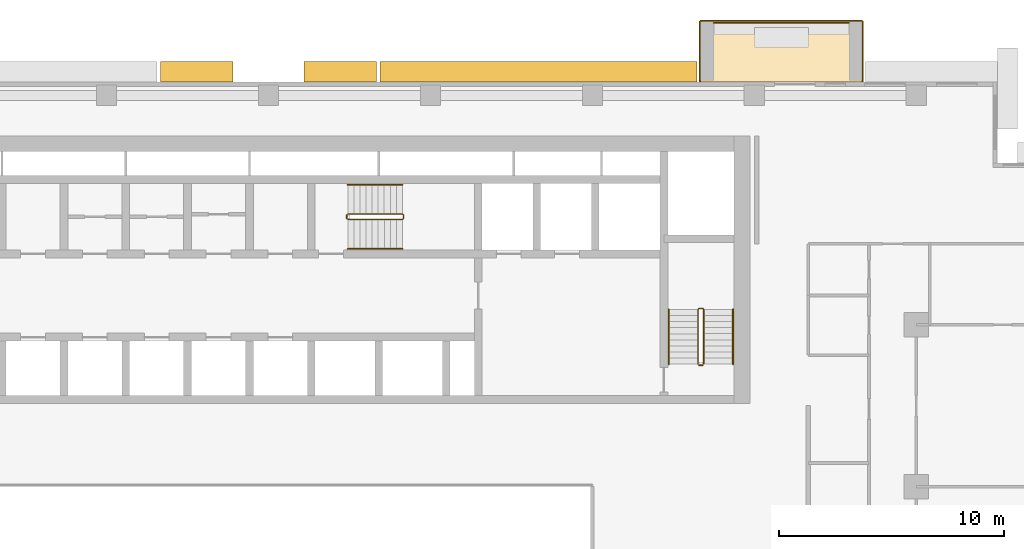
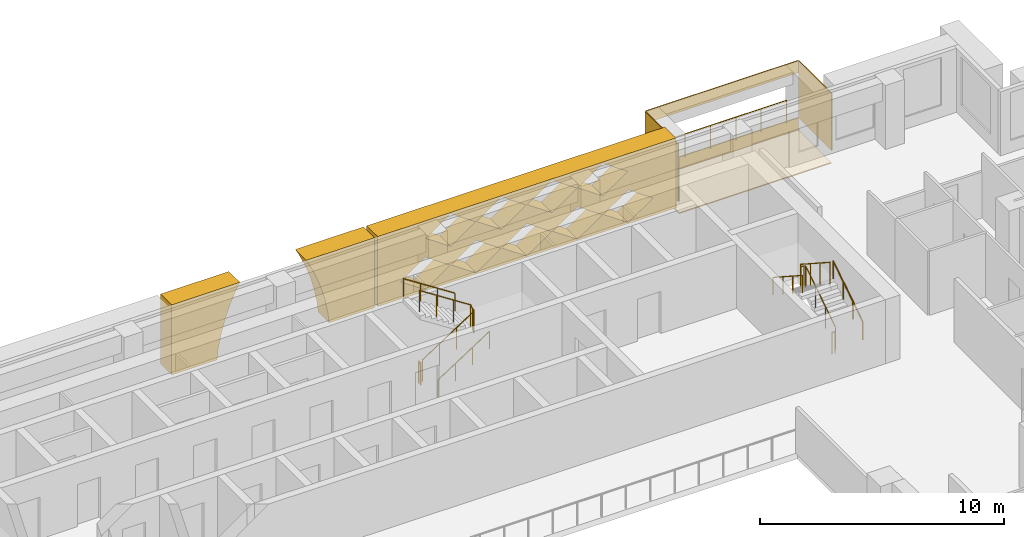
# One storey, part 16 of 17: 9 railings, 8 coverings.
"""IFC4 building model written with IfcOpenShell, lengths in metres."""

from ifc_helpers import new_model, si_unit, direction, frame, origin, origin_2d, place, context, subcontext, project, spatial, polyline, circle, outline, extrude, material, layer, layer_set, type_object, element, save


model = new_model("IFC4")

# Units and contexts
model_context = context("Model", 3, precision=1e-05, world=origin(), true_north=direction((0.0, 1.0)))
body_context = subcontext(model_context, "Body", "Model", "MODEL_VIEW")
ifc_project = project(units=[si_unit("LENGTHUNIT", "METRE"), si_unit("AREAUNIT", "SQUARE_METRE"), si_unit("VOLUMEUNIT", "CUBIC_METRE"), si_unit("PLANEANGLEUNIT", "RADIAN"), si_unit("MASSUNIT", "GRAM", prefix="KILO")], contexts=[model_context])

# Site, building, storey
site_placement = place(None, origin())
site = spatial("IfcSite", under=ifc_project, at=site_placement, CompositionType="ELEMENT")
building_placement = place(site_placement, origin())
building = spatial("IfcBuilding", under=site, at=building_placement, Name="Saffron Iwan Residences", CompositionType="ELEMENT")
storey_placement = place(building_placement, frame((0.0, 0.0, 113.0)))
storey = spatial("IfcBuildingStorey", under=building, at=storey_placement, Name="L29", CompositionType="ELEMENT", Elevation=113.0)

# Railing
ifc_material_1 = material(Name="Stainless steel 316", Category="steel")
railing_type_1 = type_object("IfcRailingType", Name="BALCONY GUARD 1150", PredefinedType="GUARDRAIL", material=ifc_material_1)
railing_1_placement = place(storey_placement, frame((76.199951171875, 83.02490234375, 0.0)))
element("IfcRailing", 1, at=railing_1_placement, inside=storey, type_object=railing_type_1, Name="Balcony guard L29 F5-0", PredefinedType="GUARDRAIL", context=body_context, shape_type="SweptSolid", body=[
    extrude(circle(Radius=0.02392578125, at=origin_2d()), frame((0.0, 0.0, 1.1259765625), z_axis=(-1.0, 0.0, 0.0), x_axis=(0.0, -1.0, 0.0)), (0.0, 0.0, 1.0), 6.0),
    extrude(circle(Radius=0.02099609375, at=origin_2d()), origin(), (0.0, 0.0, 1.0), 1.101806640625),
    extrude(circle(Radius=0.02099609375, at=origin_2d()), frame((-1.199951171875, 0.0, 0.0)), (0.0, 0.0, 1.0), 1.101806640625),
    extrude(circle(Radius=0.02099609375, at=origin_2d()), frame((-2.39990234375, 0.0, 0.0)), (0.0, 0.0, 1.0), 1.101806640625),
    extrude(circle(Radius=0.02099609375, at=origin_2d()), frame((-3.60009765625, 0.0, 0.0)), (0.0, 0.0, 1.0), 1.101806640625),
    extrude(circle(Radius=0.02099609375, at=origin_2d()), frame((-4.800048828125, 0.0, 0.0)), (0.0, 0.0, 1.0), 1.101806640625),
    extrude(circle(Radius=0.02099609375, at=origin_2d()), frame((-6.0, 0.0, 0.0)), (0.0, 0.0, 1.0), 1.101806640625),
])

# Coverings
ifc_material_2 = material(Name="Precast concrete C40/50 white painted", Category="concrete")
ifc_layer = layer(ifc_material_2, 0.050048828125)
ifc_layer_set = layer_set([ifc_layer], Name="Precast concrete C40/50 white painted")
covering_type_1 = type_object("IfcCoveringType", Name="FRAME SKIN PRECAST WHITE 50", PredefinedType="CLADDING", material=ifc_layer_set)
for number, where, name in (
    (2, (0.0, 0.0, -0.60009765625), "Frame skin slab edge L29 F5-0"),
    (3, (0.0, 0.0, 2.25), "Frame skin fascia L29 F5-0"),
):
    element("IfcCovering", number, at=place(storey_placement, frame(where)), inside=storey, type_object=covering_type_1, Name=name, PredefinedType="CLADDING", context=body_context, shape_type="SweptSolid", body=[
        extrude(outline(polyline([(76.800048828125, 83.14990234375), (69.60009765625, 83.14990234375), (69.60009765625, 83.10009765625), (76.800048828125, 83.10009765625), (76.800048828125, 83.14990234375)])), origin(), (0.0, 0.0, 1.0), 0.60009765625),
    ])
covering_1_placement = place(storey_placement, frame((0.0, 0.0, -0.64990234375)))
element("IfcCovering", 4, at=covering_1_placement, inside=storey, type_object=covering_type_1, Name="Frame skin soffit L29 F5-0", PredefinedType="CLADDING", context=body_context, shape_type="SweptSolid", body=[
    extrude(outline(polyline([(76.800048828125, 83.10009765625), (69.60009765625, 83.10009765625), (69.60009765625, 80.39990234375), (76.800048828125, 80.39990234375), (76.800048828125, 83.10009765625)])), origin(), (0.0, 0.0, 1.0), 0.0498046875),
])
covering_2_placement = place(storey_placement, origin())
element("IfcCovering", 5, at=covering_2_placement, inside=storey, type_object=covering_type_1, Name="Frame skin fin L29 F5-0a", PredefinedType="CLADDING", context=body_context, shape_type="SweptSolid", body=[
    extrude(outline(polyline([(76.85009765625, 83.10009765625), (76.800048828125, 83.10009765625), (76.800048828125, 80.39990234375), (76.85009765625, 80.39990234375), (76.85009765625, 83.10009765625)])), origin(), (0.0, 0.0, 1.0), 2.85009765625),
])
covering_3_placement = place(storey_placement, origin())
element("IfcCovering", 6, at=covering_3_placement, inside=storey, type_object=covering_type_1, Name="Frame skin fin L29 F5-0b", PredefinedType="CLADDING", context=body_context, shape_type="SweptSolid", body=[
    extrude(outline(polyline([(69.60009765625, 83.10009765625), (69.550048828125, 83.10009765625), (69.550048828125, 80.39990234375), (69.60009765625, 80.39990234375), (69.60009765625, 83.10009765625)])), origin(), (0.0, 0.0, 1.0), 2.85009765625),
])
covering_type_2 = type_object("IfcCoveringType", Name="IWAN PANEL PRECAST WHITE", PredefinedType="CLADDING", material=ifc_material_2)
covering_4_placement = place(storey_placement, frame((55.199951171875, 80.39990234375, -0.300048828125), z_axis=(0.0, 1.0, 0.0), x_axis=(-1.0, 0.0, 0.0)))
element("IfcCovering", 7, at=covering_4_placement, inside=storey, type_object=covering_type_2, Name="Iwan panel L29 F5.0", PredefinedType="CLADDING", context=body_context, shape_type="SweptSolid", body=[
    extrude(outline(polyline([(0.0, 0.0), (0.0, 3.5), (3.230712890625, 3.5), (3.10498046875, 3.276611328125), (2.802001953125, 2.621337890625), (2.55126953125, 1.944580078125), (2.354736328125, 1.25), (2.21337890625, 0.5419921875), (2.149169921875, 0.0), (0.0, 0.0)])), origin(), (0.0, 0.0, 1.0), 0.900146484375),
])
covering_5_placement = place(storey_placement, frame((55.199951171875, 80.39990234375, -0.300048828125), z_axis=(0.0, 1.0, 0.0), x_axis=(-1.0, 0.0, 0.0)))
element("IfcCovering", 8, at=covering_5_placement, inside=storey, type_object=covering_type_2, Name="Iwan panel L29 F5.1", PredefinedType="CLADDING", context=body_context, shape_type="SweptSolid", body=[
    extrude(outline(polyline([(9.60009765625, 3.5), (9.60009765625, 0.0), (7.45068359375, 0.0), (7.386474609375, 0.5419921875), (7.2451171875, 1.25), (7.048583984375, 1.944580078125), (6.798095703125, 2.621337890625), (6.4951171875, 3.276611328125), (6.369384765625, 3.5), (9.60009765625, 3.5)])), origin(), (0.0, 0.0, 1.0), 0.900146484375),
])
ifc_material_3 = material(Name="Precast concrete C40/50", Category="concrete")
covering_type_3 = type_object("IfcCoveringType", Name="OUTER SKIN LATTICE SCREEN", PredefinedType="CLADDING", material=ifc_material_3)
covering_6_placement = place(storey_placement, frame((69.449951171875, 80.39990234375, -0.300048828125), z_axis=(0.0, 1.0, 0.0), x_axis=(-1.0, 0.0, 0.0)))
element("IfcCovering", 9, at=covering_6_placement, inside=storey, type_object=covering_type_3, Name="OUTER SKIN lattice screen L29 F5.1", PredefinedType="CLADDING", context=body_context, shape_type="SweptSolid", body=[
    extrude(outline(polyline([(0.0, 0.0), (14.10009765625, 0.0), (14.10009765625, 3.5), (0.0, 3.5), (0.0, 0.0)]), holes=[polyline([(1.070068359375, 0.875), (2.25, 0.06005859375), (3.429931640625, 0.875), (2.25, 1.68994140625), (1.070068359375, 0.875)]), polyline([(3.469970703125, 0.875), (4.64990234375, 0.06005859375), (5.830078125, 0.875), (4.64990234375, 1.68994140625), (3.469970703125, 0.875)]), polyline([(5.8701171875, 0.875), (7.050048828125, 0.06005859375), (8.22998046875, 0.875), (7.050048828125, 1.68994140625), (5.8701171875, 0.875)]), polyline([(8.27001953125, 0.875), (9.449951171875, 0.06005859375), (10.6298828125, 0.875), (9.449951171875, 1.68994140625), (8.27001953125, 0.875)]), polyline([(10.669921875, 0.875), (11.85009765625, 0.06005859375), (13.030029296875, 0.875), (11.85009765625, 1.68994140625), (10.669921875, 0.875)]), polyline([(2.27001953125, 2.625), (3.449951171875, 1.81005859375), (4.6298828125, 2.625), (3.449951171875, 3.43994140625), (2.27001953125, 2.625)]), polyline([(4.669921875, 2.625), (5.85009765625, 1.81005859375), (7.030029296875, 2.625), (5.85009765625, 3.43994140625), (4.669921875, 2.625)]), polyline([(7.070068359375, 2.625), (8.25, 1.81005859375), (9.429931640625, 2.625), (8.25, 3.43994140625), (7.070068359375, 2.625)]), polyline([(9.469970703125, 2.625), (10.64990234375, 1.81005859375), (11.830078125, 2.625), (10.64990234375, 3.43994140625), (9.469970703125, 2.625)])]), origin(), (0.0, 0.0, 1.0), 0.900146484375),
])

# Railings
ifc_material_4 = material(Name="Steel S355", Category="steel")
railing_type_2 = type_object("IfcRailingType", Name="Stair guard 1100", PredefinedType="GUARDRAIL", material=ifc_material_4)
railing_2_placement = place(storey_placement, frame((53.925048828125, 74.27490234375, 0.175048828125)))
element("IfcRailing", 10, at=railing_2_placement, inside=storey, type_object=railing_type_2, Name="L29 ST-C stair guard 1", PredefinedType="GUARDRAIL", context=body_context, shape_type="SweptSolid", body=[
    extrude(circle(Radius=0.02392578125, at=origin_2d()), frame((0.0, 0.0, 1.076171875), z_axis=(0.839153699163, 0.0, 0.543894354798), x_axis=(0.0, 1.0, 0.0)), (0.0, 0.0, 1.0), 2.895751953125),
    extrude(circle(Radius=0.02392578125, at=origin_2d()), frame((2.429931640625, 0.0, 2.65087890625), z_axis=(0.707106781187, 0.707106781187, 0.0), x_axis=(-0.707106781187, 0.707106781187, 0.0)), (0.0, 0.0, 1.0), 0.07080078125),
    extrude(circle(Radius=0.02392578125, at=origin_2d()), frame((2.47998046875, 0.050048828125, 2.65087890625), z_axis=(0.0, 1.0, 0.0), x_axis=(-1.0, 0.0, 0.0)), (0.0, 0.0, 1.0), 0.150146484375),
    extrude(circle(Radius=0.02392578125, at=origin_2d()), frame((2.47998046875, 0.2001953125, 2.65087890625), z_axis=(-0.265155923931, 0.263862480399, 0.927399011991), x_axis=(-0.705375805398, -0.708833529934, 0.0)), (0.0, 0.0, 1.0), 0.188720703125),
    extrude(circle(Radius=0.02392578125, at=origin_2d()), frame((2.429931640625, 0.25, 2.826171875), z_axis=(-0.839153699163, 0.0, 0.543894354798), x_axis=(0.0, -1.0, 0.0)), (0.0, 0.0, 1.0), 2.895751953125),
    extrude(circle(Radius=0.02099609375, at=origin_2d()), origin(), (0.0, 0.0, 1.0), 1.052001953125),
    extrude(circle(Radius=0.02099609375, at=origin_2d()), frame((0.81005859375, 0.0, 0.52490234375)), (0.0, 0.0, 1.0), 1.052001953125),
    extrude(circle(Radius=0.02099609375, at=origin_2d()), frame((1.619873046875, 0.0, 1.050048828125)), (0.0, 0.0, 1.0), 1.052001953125),
    extrude(circle(Radius=0.02099609375, at=origin_2d()), frame((2.429931640625, 0.0, 1.574951171875)), (0.0, 0.0, 1.0), 1.052001953125),
    extrude(circle(Radius=0.02099609375, at=origin_2d()), frame((2.47998046875, 0.050048828125, 1.574951171875)), (0.0, 0.0, 1.0), 1.052001953125),
    extrude(circle(Radius=0.02099609375, at=origin_2d()), frame((2.47998046875, 0.2001953125, 1.574951171875)), (0.0, 0.0, 1.0), 1.052001953125),
    extrude(circle(Radius=0.02099609375, at=origin_2d()), frame((2.429931640625, 0.25, 1.75)), (0.0, 0.0, 1.0), 1.052001953125),
    extrude(circle(Radius=0.02099609375, at=origin_2d()), frame((1.619873046875, 0.25, 2.27490234375)), (0.0, 0.0, 1.0), 1.052001953125),
    extrude(circle(Radius=0.02099609375, at=origin_2d()), frame((0.81005859375, 0.25, 2.800048828125)), (0.0, 0.0, 1.0), 1.052001953125),
    extrude(circle(Radius=0.02099609375, at=origin_2d()), frame((0.0, 0.25, 3.324951171875)), (0.0, 0.0, 1.0), 1.052001953125),
])
railing_3_placement = place(storey_placement, frame((53.875, 74.324951171875, 0.0)))
element("IfcRailing", 11, at=railing_3_placement, inside=storey, type_object=railing_type_2, Name="L29 ST-C stair guard 2", PredefinedType="GUARDRAIL", context=body_context, shape_type="SweptSolid", body=[
    extrude(circle(Radius=0.02392578125, at=origin_2d()), frame((0.0, 0.0, 1.076171875), z_axis=(0.0, 1.0, 0.0), x_axis=(-1.0, 0.0, 0.0)), (0.0, 0.0, 1.0), 0.150146484375),
    extrude(circle(Radius=0.02099609375, at=origin_2d()), origin(), (0.0, 0.0, 1.0), 1.052001953125),
    extrude(circle(Radius=0.02099609375, at=origin_2d()), frame((0.0, 0.150146484375, 0.0)), (0.0, 0.0, 1.0), 1.052001953125),
])
railing_4_placement = place(storey_placement, frame((69.75, 67.85009765625, 0.175048828125)))
element("IfcRailing", 12, at=railing_4_placement, inside=storey, type_object=railing_type_2, Name="L29 ST-E stair guard 1", PredefinedType="GUARDRAIL", context=body_context, shape_type="SweptSolid", body=[
    extrude(circle(Radius=0.02392578125, at=origin_2d()), frame((0.0, 0.0, 1.076171875), z_axis=(0.0, 0.839153699163, 0.543894354798), x_axis=(-1.0, 0.0, 0.0)), (0.0, 0.0, 1.0), 2.895751953125),
    extrude(circle(Radius=0.02392578125, at=origin_2d()), frame((0.0, 2.429931640625, 2.65087890625), z_axis=(-0.707106781187, 0.707106781187, 0.0), x_axis=(-0.707106781187, -0.707106781187, 0.0)), (0.0, 0.0, 1.0), 0.07080078125),
    extrude(circle(Radius=0.02392578125, at=origin_2d()), frame((-0.050048828125, 2.47998046875, 2.65087890625), z_axis=(-1.0, 0.0, 0.0), x_axis=(0.0, -1.0, 0.0)), (0.0, 0.0, 1.0), 0.14990234375),
    extrude(circle(Radius=0.02392578125, at=origin_2d()), frame((-0.199951171875, 2.47998046875, 2.65087890625), z_axis=(-0.265065253269, -0.265065253269, 0.927081885822), x_axis=(0.707106781187, -0.707106781187, 0.0)), (0.0, 0.0, 1.0), 0.188720703125),
    extrude(circle(Radius=0.02392578125, at=origin_2d()), frame((-0.25, 2.429931640625, 2.826171875), z_axis=(0.0, -0.839153699163, 0.543894354798), x_axis=(1.0, 0.0, 0.0)), (0.0, 0.0, 1.0), 2.895751953125),
    extrude(circle(Radius=0.02099609375, at=origin_2d()), origin(), (0.0, 0.0, 1.0), 1.052001953125),
    extrude(circle(Radius=0.02099609375, at=origin_2d()), frame((0.0, 0.81005859375, 0.52490234375)), (0.0, 0.0, 1.0), 1.052001953125),
    extrude(circle(Radius=0.02099609375, at=origin_2d()), frame((0.0, 1.619873046875, 1.050048828125)), (0.0, 0.0, 1.0), 1.052001953125),
    extrude(circle(Radius=0.02099609375, at=origin_2d()), frame((0.0, 2.429931640625, 1.574951171875)), (0.0, 0.0, 1.0), 1.052001953125),
    extrude(circle(Radius=0.02099609375, at=origin_2d()), frame((-0.050048828125, 2.47998046875, 1.574951171875)), (0.0, 0.0, 1.0), 1.052001953125),
    extrude(circle(Radius=0.02099609375, at=origin_2d()), frame((-0.199951171875, 2.47998046875, 1.574951171875)), (0.0, 0.0, 1.0), 1.052001953125),
    extrude(circle(Radius=0.02099609375, at=origin_2d()), frame((-0.25, 2.429931640625, 1.75)), (0.0, 0.0, 1.0), 1.052001953125),
    extrude(circle(Radius=0.02099609375, at=origin_2d()), frame((-0.25, 1.619873046875, 2.27490234375)), (0.0, 0.0, 1.0), 1.052001953125),
    extrude(circle(Radius=0.02099609375, at=origin_2d()), frame((-0.25, 0.81005859375, 2.800048828125)), (0.0, 0.0, 1.0), 1.052001953125),
    extrude(circle(Radius=0.02099609375, at=origin_2d()), frame((-0.25, 0.0, 3.324951171875)), (0.0, 0.0, 1.0), 1.052001953125),
])
railing_5_placement = place(storey_placement, frame((69.699951171875, 67.800048828125, 0.0)))
element("IfcRailing", 13, at=railing_5_placement, inside=storey, type_object=railing_type_2, Name="L29 ST-E stair guard 2", PredefinedType="GUARDRAIL", context=body_context, shape_type="SweptSolid", body=[
    extrude(circle(Radius=0.02392578125, at=origin_2d()), frame((0.0, 0.0, 1.076171875), z_axis=(-1.0, 0.0, 0.0), x_axis=(0.0, -1.0, 0.0)), (0.0, 0.0, 1.0), 0.14990234375),
    extrude(circle(Radius=0.02099609375, at=origin_2d()), origin(), (0.0, 0.0, 1.0), 1.052001953125),
    extrude(circle(Radius=0.02099609375, at=origin_2d()), frame((-0.14990234375, 0.0, 0.0)), (0.0, 0.0, 1.0), 1.052001953125),
])
railing_type_3 = type_object("IfcRailingType", Name="Stair handrail 900", PredefinedType="HANDRAIL", material=ifc_material_1)
railing_6_placement = place(storey_placement, frame((53.925048828125, 72.97509765625, 0.175048828125)))
element("IfcRailing", 14, at=railing_6_placement, inside=storey, type_object=railing_type_3, Name="L29 ST-C stair handrail 1", PredefinedType="HANDRAIL", context=body_context, shape_type="SweptSolid", body=[
    extrude(circle(Radius=0.02392578125, at=origin_2d()), frame((0.0, 0.0, 0.8759765625), z_axis=(0.839153699163, 0.0, 0.543894354798), x_axis=(0.0, 1.0, 0.0)), (0.0, 0.0, 1.0), 2.895751953125),
    extrude(circle(Radius=0.02099609375, at=origin_2d()), origin(), (0.0, 0.0, 1.0), 0.851806640625),
    extrude(circle(Radius=0.02099609375, at=origin_2d()), frame((0.81005859375, 0.0, 0.52490234375)), (0.0, 0.0, 1.0), 0.851806640625),
    extrude(circle(Radius=0.02099609375, at=origin_2d()), frame((1.619873046875, 0.0, 1.050048828125)), (0.0, 0.0, 1.0), 0.851806640625),
    extrude(circle(Radius=0.02099609375, at=origin_2d()), frame((2.429931640625, 0.0, 1.574951171875)), (0.0, 0.0, 1.0), 0.851806640625),
])
railing_7_placement = place(storey_placement, frame((56.35498046875, 75.824951171875, 1.925048828125)))
element("IfcRailing", 15, at=railing_7_placement, inside=storey, type_object=railing_type_3, Name="L29 ST-C stair handrail 2", PredefinedType="HANDRAIL", context=body_context, shape_type="SweptSolid", body=[
    extrude(circle(Radius=0.02392578125, at=origin_2d()), frame((0.0, 0.0, 0.8759765625), z_axis=(-0.839153699163, 0.0, 0.543894354798), x_axis=(0.0, -1.0, 0.0)), (0.0, 0.0, 1.0), 2.895751953125),
    extrude(circle(Radius=0.02099609375, at=origin_2d()), origin(), (0.0, 0.0, 1.0), 0.851806640625),
    extrude(circle(Radius=0.02099609375, at=origin_2d()), frame((-0.81005859375, 0.0, 0.52490234375)), (0.0, 0.0, 1.0), 0.851806640625),
    extrude(circle(Radius=0.02099609375, at=origin_2d()), frame((-1.619873046875, 0.0, 1.050048828125)), (0.0, 0.0, 1.0), 0.851806640625),
    extrude(circle(Radius=0.02099609375, at=origin_2d()), frame((-2.429931640625, 0.0, 1.574951171875)), (0.0, 0.0, 1.0), 0.851806640625),
])
railing_8_placement = place(storey_placement, frame((71.050048828125, 67.85009765625, 0.175048828125)))
element("IfcRailing", 16, at=railing_8_placement, inside=storey, type_object=railing_type_3, Name="L29 ST-E stair handrail 1", PredefinedType="HANDRAIL", context=body_context, shape_type="SweptSolid", body=[
    extrude(circle(Radius=0.02392578125, at=origin_2d()), frame((0.0, 0.0, 0.8759765625), z_axis=(0.0, 0.839153699163, 0.543894354798), x_axis=(-1.0, 0.0, 0.0)), (0.0, 0.0, 1.0), 2.895751953125),
    extrude(circle(Radius=0.02099609375, at=origin_2d()), origin(), (0.0, 0.0, 1.0), 0.851806640625),
    extrude(circle(Radius=0.02099609375, at=origin_2d()), frame((0.0, 0.81005859375, 0.52490234375)), (0.0, 0.0, 1.0), 0.851806640625),
    extrude(circle(Radius=0.02099609375, at=origin_2d()), frame((0.0, 1.619873046875, 1.050048828125)), (0.0, 0.0, 1.0), 0.851806640625),
    extrude(circle(Radius=0.02099609375, at=origin_2d()), frame((0.0, 2.429931640625, 1.574951171875)), (0.0, 0.0, 1.0), 0.851806640625),
])
railing_9_placement = place(storey_placement, frame((68.199951171875, 70.280029296875, 1.925048828125)))
element("IfcRailing", 17, at=railing_9_placement, inside=storey, type_object=railing_type_3, Name="L29 ST-E stair handrail 2", PredefinedType="HANDRAIL", context=body_context, shape_type="SweptSolid", body=[
    extrude(circle(Radius=0.02392578125, at=origin_2d()), frame((0.0, 0.0, 0.8759765625), z_axis=(0.0, -0.839153699163, 0.543894354798), x_axis=(1.0, 0.0, 0.0)), (0.0, 0.0, 1.0), 2.895751953125),
    extrude(circle(Radius=0.02099609375, at=origin_2d()), origin(), (0.0, 0.0, 1.0), 0.851806640625),
    extrude(circle(Radius=0.02099609375, at=origin_2d()), frame((0.0, -0.81005859375, 0.52490234375)), (0.0, 0.0, 1.0), 0.851806640625),
    extrude(circle(Radius=0.02099609375, at=origin_2d()), frame((0.0, -1.619873046875, 1.050048828125)), (0.0, 0.0, 1.0), 0.851806640625),
    extrude(circle(Radius=0.02099609375, at=origin_2d()), frame((0.0, -2.429931640625, 1.574951171875)), (0.0, 0.0, 1.0), 0.851806640625),
])

save(model, "model.ifc")
